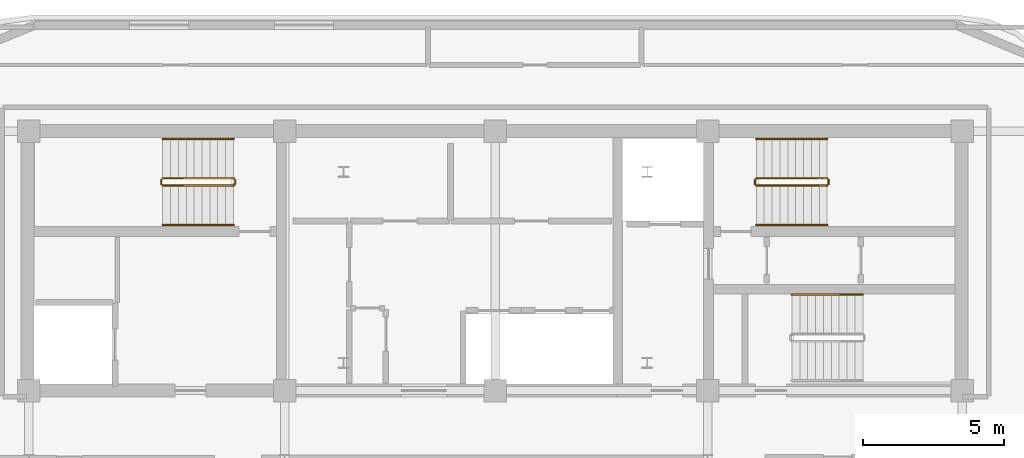
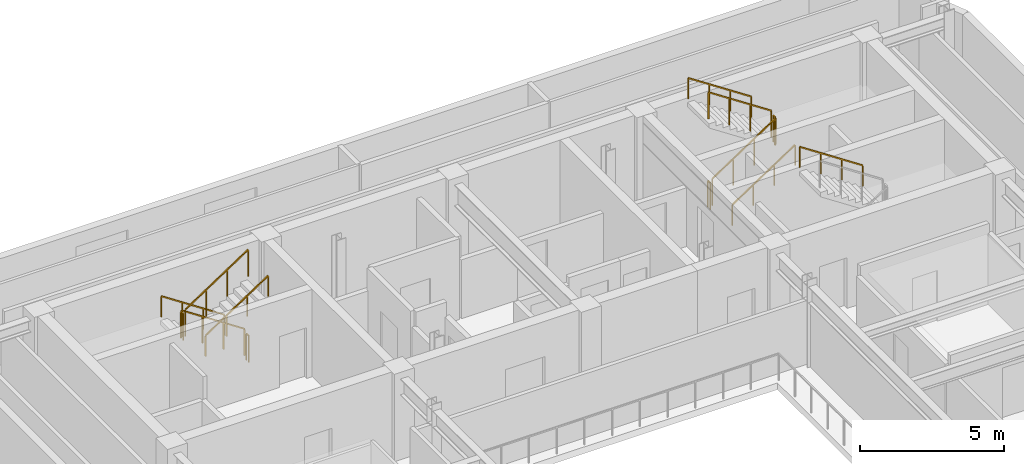
# One storey, part 12 of 12: 13 railings.
"""IFC4 building model written with IfcOpenShell, lengths in metres."""

from ifc_helpers import new_model, si_unit, direction, frame, origin, origin_2d, place, context, subcontext, project, spatial, rectangle, extrude, material, type_object, element, save


model = new_model("IFC4")

# Units and contexts
model_context = context("Model", 3, precision=1e-05, world=origin(), true_north=direction((0.0, 1.0)))
body_context = subcontext(model_context, "Body", "Model", "MODEL_VIEW")
ifc_project = project(units=[si_unit("LENGTHUNIT", "METRE"), si_unit("AREAUNIT", "SQUARE_METRE"), si_unit("VOLUMEUNIT", "CUBIC_METRE"), si_unit("PLANEANGLEUNIT", "RADIAN"), si_unit("MASSUNIT", "GRAM", prefix="KILO")], contexts=[model_context])

# Site, building, storey
site_placement = place(None, origin())
site = spatial("IfcSite", under=ifc_project, at=site_placement, CompositionType="ELEMENT")
building_placement = place(site_placement, origin())
building = spatial("IfcBuilding", under=site, at=building_placement, Name="Zarnavel Station Tower", CompositionType="ELEMENT")
storey_placement = place(building_placement, frame((0.0, 0.0, 273.199951171875)))
storey = spatial("IfcBuildingStorey", under=building, at=storey_placement, Name="L74", CompositionType="ELEMENT", Elevation=273.199951171875)

# Railings
ifc_material_1 = material(Name="Painted Steel S355J2 Balustrade", Category="steel")
railing_type_1 = type_object("IfcRailingType", Name="GR_INT_1150", PredefinedType="GUARDRAIL", material=ifc_material_1)
railing_1_placement = place(storey_placement, frame((19.47998046875, 35.3701171875, 0.18505859375)))
element("IfcRailing", 1, at=railing_1_placement, inside=storey, type_object=railing_type_1, Name="L74 ST1 stair guard 1", PredefinedType="GUARDRAIL", context=body_context, shape_type="SweptSolid", body=[
    extrude(rectangle(XDim=0.048095703125, YDim=0.048095703125, at=origin_2d()), frame((-0.001708984375, 0.0, 1.126953125), z_axis=(-0.834331337432, 0.0, 0.55126329406), x_axis=(0.0, -1.0, 0.0)), (0.0, 0.0, 1.0), 3.016357421875),
    extrude(rectangle(XDim=0.0419921875, YDim=0.0419921875, at=origin_2d()), origin(), (0.0, 0.0, 1.0), 1.101806640625),
    extrude(rectangle(XDim=0.0419921875, YDim=0.0419921875, at=origin_2d()), frame((-0.840087890625, 0.0, 0.554931640625)), (0.0, 0.0, 1.0), 1.101806640625),
    extrude(rectangle(XDim=0.0419921875, YDim=0.0419921875, at=origin_2d()), frame((-1.679931640625, 0.0, 1.110107421875)), (0.0, 0.0, 1.0), 1.101806640625),
    extrude(rectangle(XDim=0.0419921875, YDim=0.0419921875, at=origin_2d()), frame((-2.52001953125, 0.0, 1.6650390625)), (0.0, 0.0, 1.0), 1.101806640625),
])
railing_2_placement = place(storey_placement, frame((16.909912109375, 35.320068359375, 1.85009765625)))
element("IfcRailing", 2, at=railing_2_placement, inside=storey, type_object=railing_type_1, Name="L74 ST1 stair guard 2", PredefinedType="GUARDRAIL", context=body_context, shape_type="SweptSolid", body=[
    extrude(rectangle(XDim=0.048095703125, YDim=0.048095703125, at=origin_2d()), frame((0.0, -0.001953125, 1.1259765625), z_axis=(0.0, -1.0, 0.0), x_axis=(1.0, 0.0, 0.0)), (0.0, 0.0, 1.0), 0.15625),
    extrude(rectangle(XDim=0.0419921875, YDim=0.0419921875, at=origin_2d()), origin(), (0.0, 0.0, 1.0), 1.101806640625),
    extrude(rectangle(XDim=0.0419921875, YDim=0.0419921875, at=origin_2d()), frame((0.0, -0.16015625, 0.0)), (0.0, 0.0, 1.0), 1.101806640625),
])
railing_3_placement = place(storey_placement, frame((16.9599609375, 35.110107421875, 2.03515625)))
element("IfcRailing", 3, at=railing_3_placement, inside=storey, type_object=railing_type_1, Name="L74 ST1 stair guard 3", PredefinedType="GUARDRAIL", context=body_context, shape_type="SweptSolid", body=[
    extrude(rectangle(XDim=0.048095703125, YDim=0.048095703125, at=origin_2d()), frame((0.001708984375, 0.0, 1.126953125), z_axis=(0.83436851402, 0.0, 0.551207023552), x_axis=(0.0, 1.0, 0.0)), (0.0, 0.0, 1.0), 3.016357421875),
    extrude(rectangle(XDim=0.0419921875, YDim=0.0419921875, at=origin_2d()), origin(), (0.0, 0.0, 1.0), 1.101806640625),
    extrude(rectangle(XDim=0.0419921875, YDim=0.0419921875, at=origin_2d()), frame((0.840087890625, 0.0, 0.554931640625)), (0.0, 0.0, 1.0), 1.101806640625),
    extrude(rectangle(XDim=0.0419921875, YDim=0.0419921875, at=origin_2d()), frame((1.679931640625, 0.0, 1.10986328125)), (0.0, 0.0, 1.0), 1.101806640625),
    extrude(rectangle(XDim=0.0419921875, YDim=0.0419921875, at=origin_2d()), frame((2.52001953125, 0.0, 1.664794921875)), (0.0, 0.0, 1.0), 1.101806640625),
])
railing_4_placement = place(storey_placement, frame((19.530029296875, 35.320068359375, 0.0)))
element("IfcRailing", 4, at=railing_4_placement, inside=storey, type_object=railing_type_1, Name="L74 ST1 stair guard 4", PredefinedType="GUARDRAIL", context=body_context, shape_type="SweptSolid", body=[
    extrude(rectangle(XDim=0.048095703125, YDim=0.048095703125, at=origin_2d()), frame((0.0, -0.001953125, 1.1259765625), z_axis=(0.0, -1.0, 0.0), x_axis=(1.0, 0.0, 0.0)), (0.0, 0.0, 1.0), 0.15625),
    extrude(rectangle(XDim=0.0419921875, YDim=0.0419921875, at=origin_2d()), origin(), (0.0, 0.0, 1.0), 1.101806640625),
    extrude(rectangle(XDim=0.0419921875, YDim=0.0419921875, at=origin_2d()), frame((0.0, -0.16015625, 0.0)), (0.0, 0.0, 1.0), 1.101806640625),
])
railing_5_placement = place(storey_placement, frame((38.080078125, 35.110107421875, 0.18505859375)))
element("IfcRailing", 5, at=railing_5_placement, inside=storey, type_object=railing_type_1, Name="L74 ST2 stair guard 1", PredefinedType="GUARDRAIL", context=body_context, shape_type="SweptSolid", body=[
    extrude(rectangle(XDim=0.048095703125, YDim=0.048095703125, at=origin_2d()), frame((0.001708984375, 0.0, 1.126953125), z_axis=(0.834331337432, 0.0, 0.55126329406), x_axis=(0.0, 1.0, 0.0)), (0.0, 0.0, 1.0), 3.016357421875),
    extrude(rectangle(XDim=0.0419921875, YDim=0.0419921875, at=origin_2d()), origin(), (0.0, 0.0, 1.0), 1.101806640625),
    extrude(rectangle(XDim=0.0419921875, YDim=0.0419921875, at=origin_2d()), frame((0.840087890625, 0.0, 0.554931640625)), (0.0, 0.0, 1.0), 1.101806640625),
    extrude(rectangle(XDim=0.0419921875, YDim=0.0419921875, at=origin_2d()), frame((1.679931640625, 0.0, 1.110107421875)), (0.0, 0.0, 1.0), 1.101806640625),
    extrude(rectangle(XDim=0.0419921875, YDim=0.0419921875, at=origin_2d()), frame((2.52001953125, 0.0, 1.6650390625)), (0.0, 0.0, 1.0), 1.101806640625),
])
railing_6_placement = place(storey_placement, frame((40.64990234375, 35.159912109375, 1.85009765625)))
element("IfcRailing", 6, at=railing_6_placement, inside=storey, type_object=railing_type_1, Name="L74 ST2 stair guard 2", PredefinedType="GUARDRAIL", context=body_context, shape_type="SweptSolid", body=[
    extrude(rectangle(XDim=0.048095703125, YDim=0.048095703125, at=origin_2d()), frame((0.0, 0.001953125, 1.1259765625), z_axis=(0.0, 1.0, 0.0), x_axis=(-1.0, 0.0, 0.0)), (0.0, 0.0, 1.0), 0.15625),
    extrude(rectangle(XDim=0.0419921875, YDim=0.0419921875, at=origin_2d()), origin(), (0.0, 0.0, 1.0), 1.101806640625),
    extrude(rectangle(XDim=0.0419921875, YDim=0.0419921875, at=origin_2d()), frame((0.0, 0.16015625, 0.0)), (0.0, 0.0, 1.0), 1.101806640625),
])
railing_7_placement = place(storey_placement, frame((40.60009765625, 35.3701171875, 2.03515625)))
element("IfcRailing", 7, at=railing_7_placement, inside=storey, type_object=railing_type_1, Name="L74 ST2 stair guard 3", PredefinedType="GUARDRAIL", context=body_context, shape_type="SweptSolid", body=[
    extrude(rectangle(XDim=0.048095703125, YDim=0.048095703125, at=origin_2d()), frame((-0.001708984375, 0.0, 1.126953125), z_axis=(-0.83436851402, 0.0, 0.551207023552), x_axis=(0.0, -1.0, 0.0)), (0.0, 0.0, 1.0), 3.016357421875),
    extrude(rectangle(XDim=0.0419921875, YDim=0.0419921875, at=origin_2d()), origin(), (0.0, 0.0, 1.0), 1.101806640625),
    extrude(rectangle(XDim=0.0419921875, YDim=0.0419921875, at=origin_2d()), frame((-0.840087890625, 0.0, 0.554931640625)), (0.0, 0.0, 1.0), 1.101806640625),
    extrude(rectangle(XDim=0.0419921875, YDim=0.0419921875, at=origin_2d()), frame((-1.679931640625, 0.0, 1.10986328125)), (0.0, 0.0, 1.0), 1.101806640625),
    extrude(rectangle(XDim=0.0419921875, YDim=0.0419921875, at=origin_2d()), frame((-2.52001953125, 0.0, 1.664794921875)), (0.0, 0.0, 1.0), 1.101806640625),
])
railing_8_placement = place(storey_placement, frame((38.030029296875, 35.159912109375, 0.0)))
element("IfcRailing", 8, at=railing_8_placement, inside=storey, type_object=railing_type_1, Name="L74 ST2 stair guard 4", PredefinedType="GUARDRAIL", context=body_context, shape_type="SweptSolid", body=[
    extrude(rectangle(XDim=0.048095703125, YDim=0.048095703125, at=origin_2d()), frame((0.0, 0.001953125, 1.1259765625), z_axis=(0.0, 1.0, 0.0), x_axis=(-1.0, 0.0, 0.0)), (0.0, 0.0, 1.0), 0.15625),
    extrude(rectangle(XDim=0.0419921875, YDim=0.0419921875, at=origin_2d()), origin(), (0.0, 0.0, 1.0), 1.101806640625),
    extrude(rectangle(XDim=0.0419921875, YDim=0.0419921875, at=origin_2d()), frame((0.0, 0.16015625, 0.0)), (0.0, 0.0, 1.0), 1.101806640625),
])
ifc_material_2 = material(Name="Brushed Stainless Steel S355J2 Handrail", Category="steel")
railing_type_2 = type_object("IfcRailingType", Name="HR_STAIR_900", PredefinedType="HANDRAIL", material=ifc_material_2)
railing_9_placement = place(storey_placement, frame((19.47998046875, 36.77001953125, 0.18505859375)))
element("IfcRailing", 9, at=railing_9_placement, inside=storey, type_object=railing_type_2, Name="L74 ST1 stair handrail 1", PredefinedType="HANDRAIL", context=body_context, shape_type="SweptSolid", body=[
    extrude(rectangle(XDim=0.048095703125, YDim=0.048095703125, at=origin_2d()), frame((-0.001708984375, 0.0, 0.876953125), z_axis=(-0.834331337432, 0.0, 0.55126329406), x_axis=(0.0, -1.0, 0.0)), (0.0, 0.0, 1.0), 3.016357421875),
    extrude(rectangle(XDim=0.0419921875, YDim=0.0419921875, at=origin_2d()), origin(), (0.0, 0.0, 1.0), 0.851806640625),
    extrude(rectangle(XDim=0.0419921875, YDim=0.0419921875, at=origin_2d()), frame((-0.840087890625, 0.0, 0.554931640625)), (0.0, 0.0, 1.0), 0.851806640625),
    extrude(rectangle(XDim=0.0419921875, YDim=0.0419921875, at=origin_2d()), frame((-1.679931640625, 0.0, 1.110107421875)), (0.0, 0.0, 1.0), 0.851806640625),
    extrude(rectangle(XDim=0.0419921875, YDim=0.0419921875, at=origin_2d()), frame((-2.52001953125, 0.0, 1.6650390625)), (0.0, 0.0, 1.0), 0.851806640625),
])
railing_10_placement = place(storey_placement, frame((16.9599609375, 33.7099609375, 2.03515625)))
element("IfcRailing", 10, at=railing_10_placement, inside=storey, type_object=railing_type_2, Name="L74 ST1 stair handrail 2", PredefinedType="HANDRAIL", context=body_context, shape_type="SweptSolid", body=[
    extrude(rectangle(XDim=0.048095703125, YDim=0.048095703125, at=origin_2d()), frame((0.001708984375, 0.0, 0.876953125), z_axis=(0.83436851402, 0.0, 0.551207023552), x_axis=(0.0, 1.0, 0.0)), (0.0, 0.0, 1.0), 3.016357421875),
    extrude(rectangle(XDim=0.0419921875, YDim=0.0419921875, at=origin_2d()), origin(), (0.0, 0.0, 1.0), 0.851806640625),
    extrude(rectangle(XDim=0.0419921875, YDim=0.0419921875, at=origin_2d()), frame((0.840087890625, 0.0, 0.554931640625)), (0.0, 0.0, 1.0), 0.851806640625),
    extrude(rectangle(XDim=0.0419921875, YDim=0.0419921875, at=origin_2d()), frame((1.679931640625, 0.0, 1.10986328125)), (0.0, 0.0, 1.0), 0.851806640625),
    extrude(rectangle(XDim=0.0419921875, YDim=0.0419921875, at=origin_2d()), frame((2.52001953125, 0.0, 1.664794921875)), (0.0, 0.0, 1.0), 0.851806640625),
])
railing_11_placement = place(storey_placement, frame((38.080078125, 33.7099609375, 0.18505859375)))
element("IfcRailing", 11, at=railing_11_placement, inside=storey, type_object=railing_type_2, Name="L74 ST2 stair handrail 1", PredefinedType="HANDRAIL", context=body_context, shape_type="SweptSolid", body=[
    extrude(rectangle(XDim=0.048095703125, YDim=0.048095703125, at=origin_2d()), frame((0.001708984375, 0.0, 0.876953125), z_axis=(0.834331337432, 0.0, 0.55126329406), x_axis=(0.0, 1.0, 0.0)), (0.0, 0.0, 1.0), 3.016357421875),
    extrude(rectangle(XDim=0.0419921875, YDim=0.0419921875, at=origin_2d()), origin(), (0.0, 0.0, 1.0), 0.851806640625),
    extrude(rectangle(XDim=0.0419921875, YDim=0.0419921875, at=origin_2d()), frame((0.840087890625, 0.0, 0.554931640625)), (0.0, 0.0, 1.0), 0.851806640625),
    extrude(rectangle(XDim=0.0419921875, YDim=0.0419921875, at=origin_2d()), frame((1.679931640625, 0.0, 1.110107421875)), (0.0, 0.0, 1.0), 0.851806640625),
    extrude(rectangle(XDim=0.0419921875, YDim=0.0419921875, at=origin_2d()), frame((2.52001953125, 0.0, 1.6650390625)), (0.0, 0.0, 1.0), 0.851806640625),
])
for number, where, name in (
    (12, (40.60009765625, 36.77001953125, 2.03515625), "L74 ST2 stair handrail 2"),
    (13, (41.8701171875, 31.22998046875, 2.03515625), "L74 ST3 stair handrail 2"),
):
    element("IfcRailing", number, at=place(storey_placement, frame(where)), inside=storey, type_object=railing_type_2, Name=name, PredefinedType="HANDRAIL", context=body_context, shape_type="SweptSolid", body=[
        extrude(rectangle(XDim=0.048095703125, YDim=0.048095703125, at=origin_2d()), frame((-0.001708984375, 0.0, 0.876953125), z_axis=(-0.83436851402, 0.0, 0.551207023552), x_axis=(0.0, -1.0, 0.0)), (0.0, 0.0, 1.0), 3.016357421875),
        extrude(rectangle(XDim=0.0419921875, YDim=0.0419921875, at=origin_2d()), origin(), (0.0, 0.0, 1.0), 0.851806640625),
        extrude(rectangle(XDim=0.0419921875, YDim=0.0419921875, at=origin_2d()), frame((-0.840087890625, 0.0, 0.554931640625)), (0.0, 0.0, 1.0), 0.851806640625),
        extrude(rectangle(XDim=0.0419921875, YDim=0.0419921875, at=origin_2d()), frame((-1.679931640625, 0.0, 1.10986328125)), (0.0, 0.0, 1.0), 0.851806640625),
        extrude(rectangle(XDim=0.0419921875, YDim=0.0419921875, at=origin_2d()), frame((-2.52001953125, 0.0, 1.664794921875)), (0.0, 0.0, 1.0), 0.851806640625),
    ])

save(model, "model.ifc")
